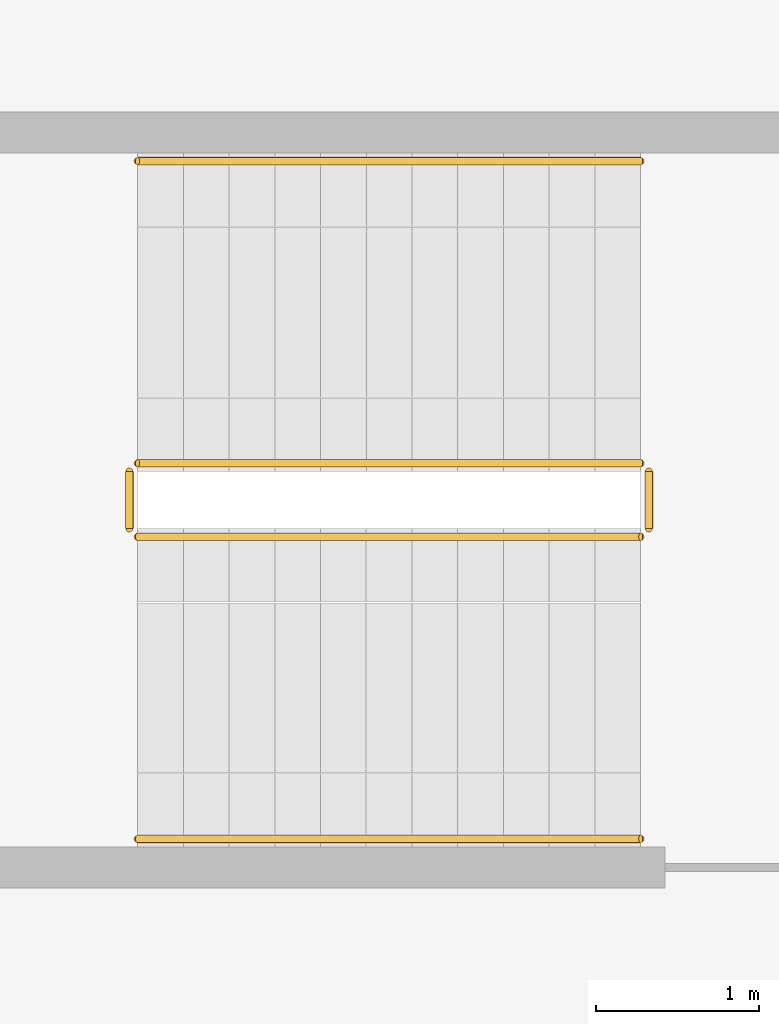
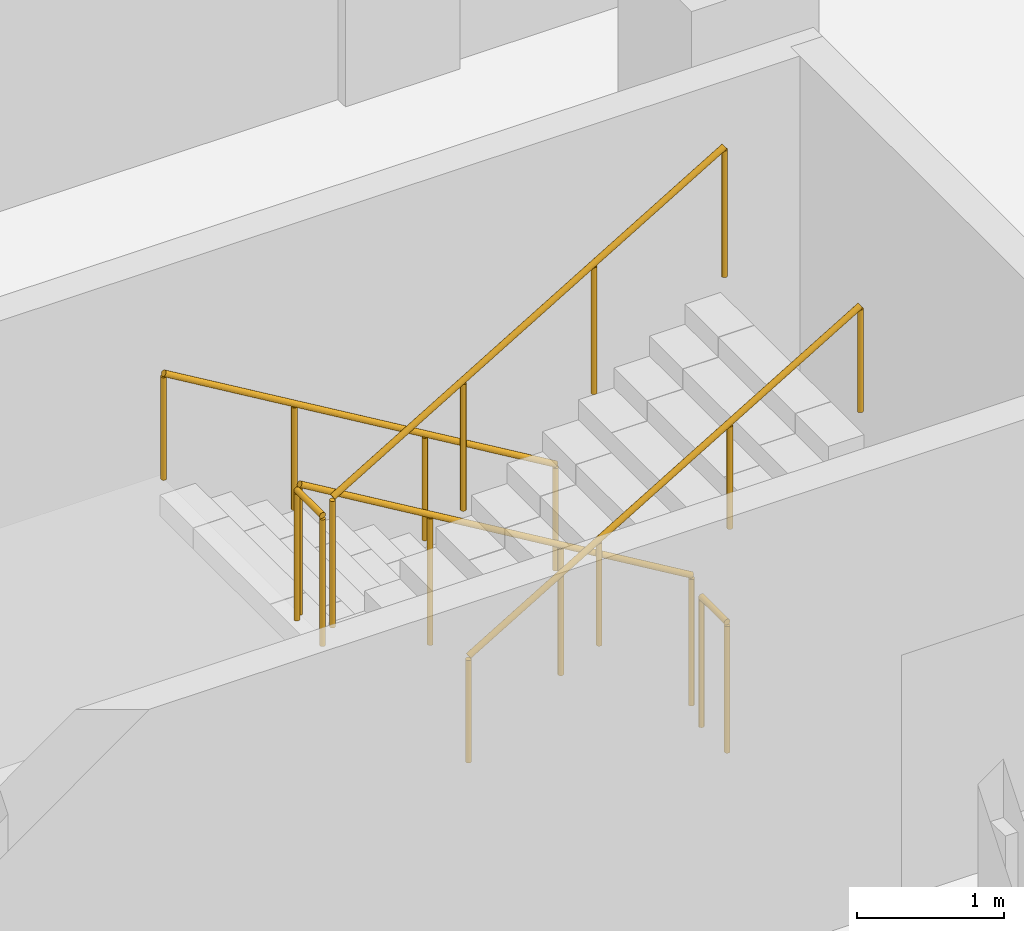
# One storey, part 15 of 15: 1 railing.
"""IFC4 building model written with IfcOpenShell, lengths in metres."""

from ifc_helpers import new_model, si_unit, direction, frame, origin, origin_2d, place, context, subcontext, project, spatial, circle, extrude, material, type_object, element, save


model = new_model("IFC4")

# Units and contexts
model_context = context("Model", 3, precision=1e-05, world=origin(), true_north=direction((0.0, 1.0)))
body_context = subcontext(model_context, "Body", "Model", "MODEL_VIEW")
ifc_project = project(units=[si_unit("LENGTHUNIT", "METRE"), si_unit("AREAUNIT", "SQUARE_METRE"), si_unit("VOLUMEUNIT", "CUBIC_METRE"), si_unit("PLANEANGLEUNIT", "RADIAN"), si_unit("MASSUNIT", "GRAM", prefix="KILO")], contexts=[model_context])

# Site, building, storey
site_placement = place(None, origin())
site = spatial("IfcSite", under=ifc_project, at=site_placement, CompositionType="ELEMENT")
building_placement = place(site_placement, origin())
building = spatial("IfcBuilding", under=site, at=building_placement, Name="Corbelhall Arena Tower", CompositionType="ELEMENT")
storey_placement = place(building_placement, frame((0.0, 0.0, 220.0)))
storey = spatial("IfcBuildingStorey", under=building, at=storey_placement, Name="L46", CompositionType="ELEMENT", Elevation=220.0)

# Railing
ifc_material = material(Name="Steel ASTM A500 Gr C", Category="steel")
railing_type = type_object("IfcRailingType", Name="IN-GD-1100", PredefinedType="GUARDRAIL", material=ifc_material)
railing_placement = place(storey_placement, frame((11.425048828125, 14.77490234375, 0.166748046875)))
element("IfcRailing", 1, at=railing_placement, inside=storey, type_object=railing_type, Name="L46 ST3 stair guards and handrails", PredefinedType="GUARDRAIL", context=body_context, shape_type="SweptSolid", body=[
    extrude(circle(Radius=0.02392578125, at=origin_2d()), frame((0.0, 0.0, 1.076171875), z_axis=(-0.859308565015, 0.0, 0.511457515432), x_axis=(0.0, -1.0, 0.0)), (0.0, 0.0, 1.0), 3.58447265625),
    extrude(circle(Radius=0.02392578125, at=origin_2d()), frame((-3.130126953125, -0.0498046875, 2.9091796875), z_axis=(0.0, -1.0, 0.0), x_axis=(1.0, 0.0, 0.0)), (0.0, 0.0, 1.0), 0.35009765625),
    extrude(circle(Radius=0.02392578125, at=origin_2d()), frame((-3.080078125, -0.449951171875, 3.076171875), z_axis=(0.859308565015, 0.0, 0.511457515432), x_axis=(0.0, 1.0, 0.0)), (0.0, 0.0, 1.0), 3.58447265625),
    extrude(circle(Radius=0.02392578125, at=origin_2d()), frame((0.050048828125, -0.0498046875, 0.9091796875), z_axis=(0.0, -1.0, 0.0), x_axis=(1.0, 0.0, 0.0)), (0.0, 0.0, 1.0), 0.35009765625),
    extrude(circle(Radius=0.02392578125, at=origin_2d()), frame((0.0, 1.85009765625, 0.8759765625), z_axis=(-0.859308565015, 0.0, 0.511457515432), x_axis=(0.0, -1.0, 0.0)), (0.0, 0.0, 1.0), 3.58447265625),
    extrude(circle(Radius=0.02392578125, at=origin_2d()), frame((-3.080078125, -2.2998046875, 2.8759765625), z_axis=(0.859308565015, 0.0, 0.511457515432), x_axis=(0.0, 1.0, 0.0)), (0.0, 0.0, 1.0), 3.58447265625),
    extrude(circle(Radius=0.02099609375, at=origin_2d()), origin(), (0.0, 0.0, 1.0), 1.052001953125),
    extrude(circle(Radius=0.02099609375, at=origin_2d()), frame((-1.026611328125, 0.0, 0.611083984375)), (0.0, 0.0, 1.0), 1.052001953125),
    extrude(circle(Radius=0.02099609375, at=origin_2d()), frame((-2.053466796875, 0.0, 1.22216796875)), (0.0, 0.0, 1.0), 1.052001953125),
    extrude(circle(Radius=0.02099609375, at=origin_2d()), frame((-3.080078125, 0.0, 1.833251953125)), (0.0, 0.0, 1.0), 1.052001953125),
    extrude(circle(Radius=0.02099609375, at=origin_2d()), frame((-3.130126953125, -0.0498046875, 1.833251953125)), (0.0, 0.0, 1.0), 1.052001953125),
    extrude(circle(Radius=0.02099609375, at=origin_2d()), frame((-3.130126953125, -0.39990234375, 1.833251953125)), (0.0, 0.0, 1.0), 1.052001953125),
    extrude(circle(Radius=0.02099609375, at=origin_2d()), frame((-3.080078125, -0.449951171875, 2.0)), (0.0, 0.0, 1.0), 1.052001953125),
    extrude(circle(Radius=0.02099609375, at=origin_2d()), frame((-2.053466796875, -0.449951171875, 2.611083984375)), (0.0, 0.0, 1.0), 1.052001953125),
    extrude(circle(Radius=0.02099609375, at=origin_2d()), frame((-1.026611328125, -0.449951171875, 3.22216796875)), (0.0, 0.0, 1.0), 1.052001953125),
    extrude(circle(Radius=0.02099609375, at=origin_2d()), frame((0.0, -0.449951171875, 3.833251953125)), (0.0, 0.0, 1.0), 1.052001953125),
    extrude(circle(Radius=0.02099609375, at=origin_2d()), frame((0.050048828125, -0.0498046875, -0.166748046875)), (0.0, 0.0, 1.0), 1.052001953125),
    extrude(circle(Radius=0.02099609375, at=origin_2d()), frame((0.050048828125, -0.39990234375, -0.166748046875)), (0.0, 0.0, 1.0), 1.052001953125),
    extrude(circle(Radius=0.02099609375, at=origin_2d()), frame((0.0, 1.85009765625, 0.0)), (0.0, 0.0, 1.0), 0.851806640625),
    extrude(circle(Radius=0.02099609375, at=origin_2d()), frame((-1.026611328125, 1.85009765625, 0.611083984375)), (0.0, 0.0, 1.0), 0.851806640625),
    extrude(circle(Radius=0.02099609375, at=origin_2d()), frame((-2.053466796875, 1.85009765625, 1.22216796875)), (0.0, 0.0, 1.0), 0.851806640625),
    extrude(circle(Radius=0.02099609375, at=origin_2d()), frame((-3.080078125, 1.85009765625, 1.833251953125)), (0.0, 0.0, 1.0), 0.851806640625),
    extrude(circle(Radius=0.02099609375, at=origin_2d()), frame((-3.080078125, -2.2998046875, 2.0)), (0.0, 0.0, 1.0), 0.851806640625),
    extrude(circle(Radius=0.02099609375, at=origin_2d()), frame((-2.053466796875, -2.2998046875, 2.611083984375)), (0.0, 0.0, 1.0), 0.851806640625),
    extrude(circle(Radius=0.02099609375, at=origin_2d()), frame((-1.026611328125, -2.2998046875, 3.22216796875)), (0.0, 0.0, 1.0), 0.851806640625),
    extrude(circle(Radius=0.02099609375, at=origin_2d()), frame((0.0, -2.2998046875, 3.833251953125)), (0.0, 0.0, 1.0), 0.851806640625),
])

save(model, "model.ifc")
